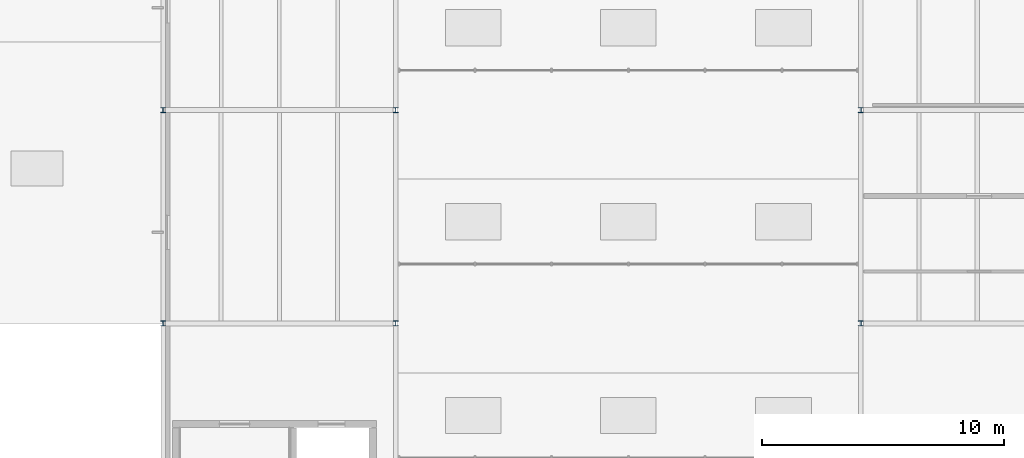
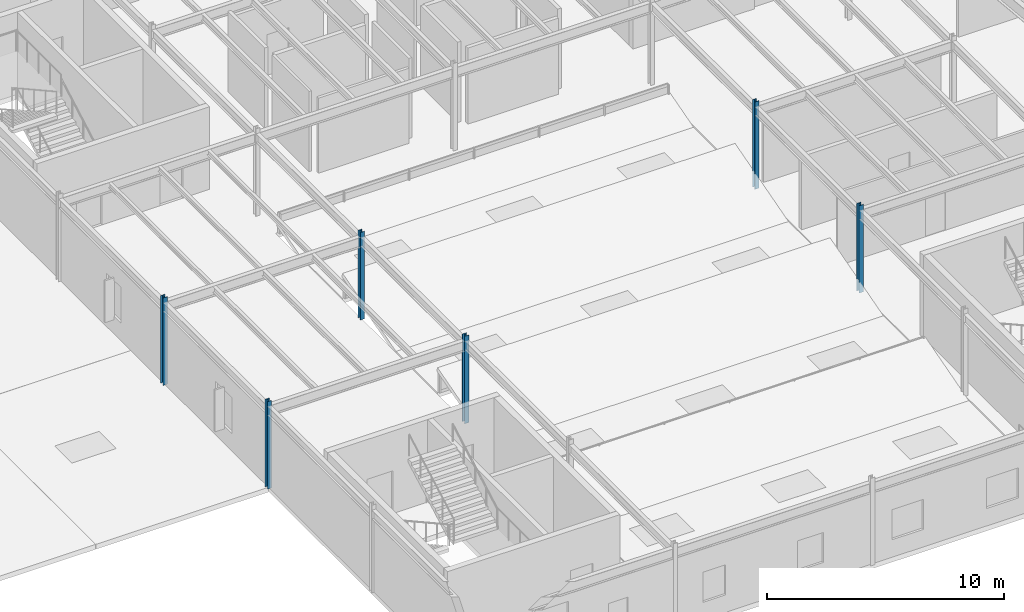
# One storey, part 2 of 50: 6 columns.
"""IFC4 building model written with IfcOpenShell, lengths in metres."""

from ifc_helpers import new_model, si_unit, direction, frame, origin, origin_2d, place, context, subcontext, project, spatial, i_section, extrude, material, material_profile, profile_set, type_object, element, save


model = new_model("IFC4")

# Units and contexts
model_context = context("Model", 3, precision=1e-05, world=origin(), true_north=direction((0.0, 1.0)))
body_context = subcontext(model_context, "Body", "Model", "MODEL_VIEW")
ifc_project = project(units=[si_unit("LENGTHUNIT", "METRE"), si_unit("AREAUNIT", "SQUARE_METRE"), si_unit("VOLUMEUNIT", "CUBIC_METRE"), si_unit("PLANEANGLEUNIT", "RADIAN"), si_unit("MASSUNIT", "GRAM", prefix="KILO")], contexts=[model_context])

# Site, building, storey
site_placement = place(None, origin())
site = spatial("IfcSite", under=ifc_project, at=site_placement, CompositionType="ELEMENT")
building_placement = place(site_placement, origin())
building = spatial("IfcBuilding", under=site, at=building_placement, Name="Sarnbrook Museum", CompositionType="ELEMENT")
storey_placement = place(building_placement, frame((0.0, 0.0, 28.10009765625)))
storey = spatial("IfcBuildingStorey", under=building, at=storey_placement, Name="L05", CompositionType="ELEMENT", Elevation=28.10009765625)

# Columns
ifc_material = material(Name="Structural Steel Grade 300PLUS (AS/NZS 3679.1, fy = 280 MPa for 17 < t <= 40 mm, 300 MPa for t <= 17 mm)", Category="steel")
ifc_material_profile = material_profile(ifc_material, i_section(OverallWidth=0.205078125, OverallDepth=0.2099609375, WebThickness=0.00927734375, FlangeThickness=0.01416015625, FilletRadius=0.01025390625, at=origin_2d()), Name="200UC59.5")
ifc_profile_set = profile_set([ifc_material_profile], Name="Structural Steel Grade 300PLUS (AS/NZS 3679.1, fy = 280 MPa for 17 < t <= 40 mm, 300 MPa for t <= 17 mm)")
column_type = type_object("IfcColumnType", Name="COL-UC200", PredefinedType="COLUMN", material=ifc_profile_set)
for number, where, z_axis, x_axis, name in (
    (1, (90.39990234375, 74.39990234375, 0.0), (0.0, 0.0, 1.0), (1.0, 0.0, 0.0), "Column 10-J L05"),
    (2, (90.39990234375, 83.199951171875, 0.0), (0.0, 0.0, 1.0), (1.0, 0.0, 0.0), "Column 10-K L05"),
    (3, (109.60009765625, 74.39990234375, 0.0), (0.0, 0.0, 1.0), (1.0, 0.0, 0.0), "Column 12-J L05"),
    (4, (109.60009765625, 83.199951171875, 0.0), (0.0, 0.0, 1.0), (1.0, 0.0, 0.0), "Column 12-K L05"),
    (5, (80.800048828125, 74.39990234375, 0.0), (0.0, 0.0, 1.0), (1.0, 0.0, 0.0), "Column 9-J L05"),
    (6, (80.800048828125, 83.199951171875, 0.0), (0.0, 0.0, 1.0), (1.0, 0.0, 0.0), "Column 9-K L05"),
):
    element("IfcColumn", number, at=place(storey_placement, frame(where, z_axis=z_axis, x_axis=x_axis)), inside=storey, type_object=column_type, Name=name, PredefinedType="COLUMN", context=body_context, shape_type="SweptSolid", body=[
        extrude(i_section(OverallWidth=0.205078125, OverallDepth=0.2099609375, WebThickness=0.00927734375, FlangeThickness=0.01416015625, FilletRadius=0.01025390625, at=origin_2d()), origin(), (0.0, 0.0, 1.0), 4.5),
    ])

save(model, "model.ifc")
